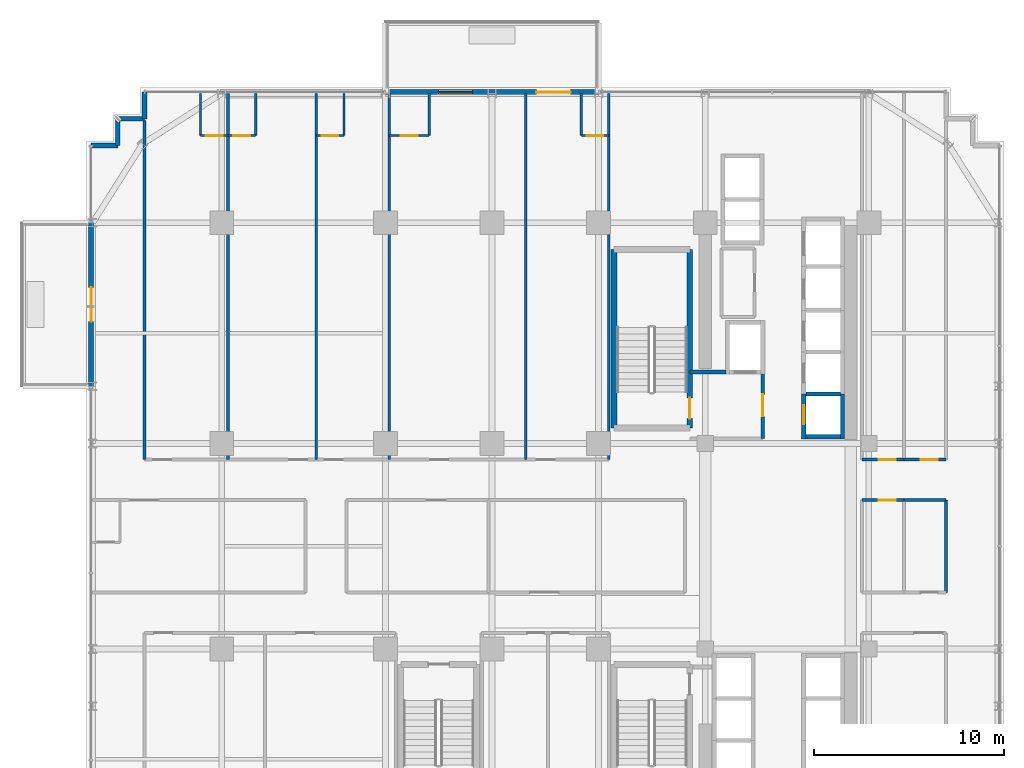
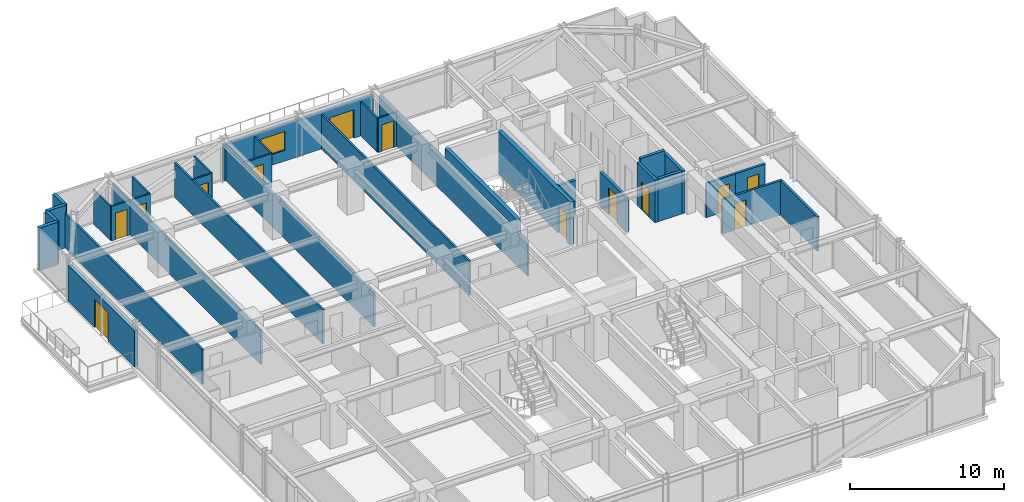
# One storey, part 34 of 40: 35 walls, 13 doors, 1 window, 14 openings.
"""IFC4 building model written with IfcOpenShell, lengths in metres."""

from ifc_helpers import new_model, si_unit, direction, frame, frame_2d, origin, place, context, subcontext, project, spatial, rectangle, extrude, source, transform, mapped, material, layer, layer_set, type_object, element, fill, save


model = new_model("IFC4")

# Units and contexts
model_context = context("Model", 3, precision=1e-05, world=origin(), true_north=direction((0.0, 1.0)))
body_context = subcontext(model_context, "Body", "Model", "MODEL_VIEW")
ifc_project = project(units=[si_unit("LENGTHUNIT", "METRE"), si_unit("AREAUNIT", "SQUARE_METRE"), si_unit("VOLUMEUNIT", "CUBIC_METRE"), si_unit("PLANEANGLEUNIT", "RADIAN"), si_unit("MASSUNIT", "GRAM", prefix="KILO")], contexts=[model_context])

# Site, building, storey
site_placement = place(None, origin())
site = spatial("IfcSite", under=ifc_project, at=site_placement, CompositionType="ELEMENT")
building_placement = place(site_placement, origin())
building = spatial("IfcBuilding", under=site, at=building_placement, Name="Nahalor Promenade Grand Hotel", CompositionType="ELEMENT")
storey_placement = place(building_placement, frame((0.0, 0.0, 91.949951171875)))
storey = spatial("IfcBuildingStorey", under=building, at=storey_placement, Name="L22", CompositionType="ELEMENT", Elevation=91.949951171875)

# Wall
ifc_material_1 = material(Name="Concrete B-50 (C40/50)", Category="concrete")
ifc_layer_1 = layer(ifc_material_1, 0.300048828125)
ifc_layer_set_1 = layer_set([ifc_layer_1], Name="Concrete B-50 (C40/50)")
wall_type_1 = type_object("IfcWallType", Name="Wall-ShaftShear-300", PredefinedType="SHEAR", material=ifc_layer_set_1)
shared_shape_1 = source(origin(), body_context, "Body", "SweptSolid", [
    extrude(rectangle(XDim=9.380126953125, YDim=0.300048828125, at=frame_2d((4.68994140625, 0.0))), origin(), (0.0, 0.0, 1.0), 3.380126953125),
])
wall_1_placement = place(storey_placement, frame((3.610107421875, 6.2099609375, 0.0), z_axis=(0.0, 0.0, 1.0), x_axis=(0.0, 1.0, 0.0)))
element("IfcWall", 1, at=wall_1_placement, inside=storey, type_object=wall_type_1, Name="L22 Exit Stair ST1 Shaft Wall W", PredefinedType="SHEAR", context=body_context, shape_type="MappedRepresentation", body=[
    mapped(shared_shape_1, transform((0.0, 0.0, 0.0), scale=1.0)),
])

# Wall, opening, door
wall_2_placement = place(storey_placement, frame((7.590087890625, 6.2099609375, 0.0), z_axis=(0.0, 0.0, 1.0), x_axis=(0.0, 1.0, 0.0)))
wall_2 = element("IfcWall", 2, at=wall_2_placement, inside=storey, type_object=wall_type_1, Name="L22 Exit Stair ST1 Shaft Wall E", PredefinedType="SHEAR", context=body_context, shape_type="MappedRepresentation", body=[
    mapped(shared_shape_1, transform((0.0, 0.0, 0.0), scale=1.0)),
])
opening_1_placement = place(wall_2_placement, frame((0.489990234375, 0.0, 0.0)))
opening_1 = element("IfcOpeningElement", 3, at=opening_1_placement, cuts=wall_2, Name="Opening D-ST1", PredefinedType="OPENING", context=body_context, shape_type="SweptSolid", body=[
    extrude(rectangle(XDim=1.10009765625, YDim=2.14990234375, at=frame_2d((0.550048828125, 1.074951171875))), frame((0.0, 0.159912109375, 0.0), z_axis=(0.0, -1.0, 0.0), x_axis=(1.0, 0.0, 0.0)), (0.0, 0.0, 1.0), 0.320068359375),
])
ifc_material_2 = material(Name="Steel S355JR", Category="steel")
door_type_1 = type_object("IfcDoorType", Name="Door-StairFire-1100", OperationType="NOTDEFINED", PredefinedType="DOOR", material=ifc_material_2)
shared_shape_2 = source(origin(), body_context, "Body", "SweptSolid", [
    extrude(rectangle(XDim=1.10009765625, YDim=2.14990234375, at=frame_2d((0.550048828125, 1.074951171875))), frame((0.0, 0.02490234375, 0.0), z_axis=(0.0, -1.0, 0.0), x_axis=(1.0, 0.0, 0.0)), (0.0, 0.0, 1.0), 0.050048828125),
])
door_1_placement = place(opening_1_placement, origin())
door_1 = element("IfcDoor", 4, at=door_1_placement, inside=storey, type_object=door_type_1, Name="DR-STAIR-ST1-L22", OperationType="SINGLE_SWING_LEFT", OverallHeight=2.14990234375, OverallWidth=1.10009765625, PredefinedType="DOOR", context=body_context, shape_type="MappedRepresentation", body=[
    mapped(shared_shape_2, transform((0.0, 0.0, 0.0), scale=1.0)),
])
fill(opening_1, door_1)

# Wall
ifc_layer_2 = layer(ifc_material_1, 0.219970703125)
ifc_layer_set_2 = layer_set([ifc_layer_2], Name="Concrete B-50 (C40/50)")
wall_type_2 = type_object("IfcWallType", Name="Wall-LiftShaft-220", PredefinedType="SHEAR", material=ifc_layer_set_2)
shared_shape_3 = source(origin(), body_context, "Body", "SweptSolid", [
    extrude(rectangle(XDim=1.820068359375, YDim=0.219970703125, at=frame_2d((0.91015625, 0.0))), origin(), (0.0, 0.0, 1.0), 3.650146484375),
])
wall_3_placement = place(storey_placement, frame((13.68994140625, 8.0, 0.0), z_axis=(0.0, 0.0, 1.0), x_axis=(1.0, 0.0, 0.0)))
element("IfcWall", 5, at=wall_3_placement, inside=storey, type_object=wall_type_2, Name="L22 Lift PL1 Hoistway Wall N", PredefinedType="SHEAR", context=body_context, shape_type="MappedRepresentation", body=[
    mapped(shared_shape_3, transform((0.0, 0.0, 0.0), scale=1.0)),
])

# Wall, opening, door
shared_shape_4 = source(origin(), body_context, "Body", "SweptSolid", [
    extrude(rectangle(XDim=2.360107421875, YDim=0.219970703125, at=frame_2d((1.18017578125, 0.0))), origin(), (0.0, 0.0, 1.0), 3.380126953125),
])
wall_4_placement = place(storey_placement, frame((13.580078125, 5.639892578125, 0.0), z_axis=(0.0, 0.0, 1.0), x_axis=(0.0, 1.0, 0.0)))
wall_4 = element("IfcWall", 6, at=wall_4_placement, inside=storey, type_object=wall_type_2, Name="L22 Lift PL1 Hoistway Wall W", PredefinedType="SHEAR", context=body_context, shape_type="MappedRepresentation", body=[
    mapped(shared_shape_4, transform((0.0, 0.0, 0.0), scale=1.0)),
])
opening_2_placement = place(wall_4_placement, frame((0.760009765625, 0.0, 0.0)))
opening_2 = element("IfcOpeningElement", 7, at=opening_2_placement, cuts=wall_4, Name="Opening LD-01", PredefinedType="OPENING", context=body_context, shape_type="SweptSolid", body=[
    extrude(rectangle(XDim=1.0, YDim=2.199951171875, at=frame_2d((0.5, 1.10009765625))), frame((0.0, 0.119873046875, 0.0), z_axis=(0.0, -1.0, 0.0), x_axis=(1.0, 0.0, 0.0)), (0.0, 0.0, 1.0), 0.239990234375),
])
door_type_2 = type_object("IfcDoorType", Name="Door-LiftLanding-1000", OperationType="DOUBLE_DOOR_SLIDING", PredefinedType="DOOR", material=ifc_material_2)
shared_shape_5 = source(origin(), body_context, "Body", "SweptSolid", [
    extrude(rectangle(XDim=1.0, YDim=2.199951171875, at=frame_2d((0.5, 1.10009765625))), frame((0.0, 0.02490234375, 0.0), z_axis=(0.0, -1.0, 0.0), x_axis=(1.0, 0.0, 0.0)), (0.0, 0.0, 1.0), 0.050048828125),
])
door_2_placement = place(opening_2_placement, origin())
door_2 = element("IfcDoor", 8, at=door_2_placement, inside=storey, type_object=door_type_2, Name="DR-LIFT-PL1-L22", OperationType="DOUBLE_DOOR_SLIDING", OverallHeight=2.199951171875, OverallWidth=1.0, PredefinedType="DOOR", context=body_context, shape_type="MappedRepresentation", body=[
    mapped(shared_shape_5, transform((0.0, 0.0, 0.0), scale=1.0)),
])
fill(opening_2, door_2)

# Walls
wall_5_placement = place(storey_placement, frame((15.6201171875, 5.639892578125, 0.0), z_axis=(0.0, 0.0, 1.0), x_axis=(0.0, 1.0, 0.0)))
element("IfcWall", 9, at=wall_5_placement, inside=storey, type_object=wall_type_2, Name="L22 Lift PL1 Hoistway Wall E", PredefinedType="SHEAR", context=body_context, shape_type="MappedRepresentation", body=[
    mapped(shared_shape_4, transform((0.0, 0.0, 0.0), scale=1.0)),
])
shared_shape_6 = source(origin(), body_context, "Body", "SweptSolid", [
    extrude(rectangle(XDim=1.820068359375, YDim=0.219970703125, at=frame_2d((0.91015625, 0.0))), origin(), (0.0, 0.0, 1.0), 3.380126953125),
])
wall_6_placement = place(storey_placement, frame((13.68994140625, 5.75, 0.0), z_axis=(0.0, 0.0, 1.0), x_axis=(1.0, 0.0, 0.0)))
element("IfcWall", 10, at=wall_6_placement, inside=storey, type_object=wall_type_2, Name="L22 Lift PL1 Hoistway Wall S", PredefinedType="SHEAR", context=body_context, shape_type="MappedRepresentation", body=[
    mapped(shared_shape_6, transform((0.0, 0.0, 0.0), scale=1.0)),
])
ifc_material_3 = material(Name="Concrete B-40 (C32/40)", Category="concrete")
ifc_layer_3 = layer(ifc_material_3, 0.25)
ifc_layer_set_3 = layer_set([ifc_layer_3], Name="Concrete B-40 (C32/40)")
wall_type_3 = type_object("IfcWallType", Name="Wall-BronzePier-250", PredefinedType="STANDARD", material=ifc_layer_set_3)
shared_shape_7 = source(origin(), body_context, "Body", "SweptSolid", [
    extrude(rectangle(XDim=1.400146484375, YDim=0.25, at=frame_2d((0.7001953125, 0.0))), origin(), (0.0, 0.0, 1.0), 3.380126953125),
])
for number, where, z_axis, x_axis, name in (
    (11, (-21.06005859375, 22.4599609375, 0.0), (0.0, 0.0, 1.0), (0.0, 1.0, 0.0), "W-L22-SR-09"),
    (12, (-23.860107421875, 21.06005859375, 0.0), (0.0, 0.0, 1.0), (1.0, 0.0, 0.0), "W-L22-SR-12"),
):
    element("IfcWall", number, at=place(storey_placement, frame(where, z_axis=z_axis, x_axis=x_axis)), inside=storey, type_object=wall_type_3, Name=name, PredefinedType="STANDARD", context=body_context, shape_type="MappedRepresentation", body=[
        mapped(shared_shape_7, transform((0.0, 0.0, 0.0), scale=1.0)),
    ])
shared_shape_8 = source(origin(), body_context, "Body", "SweptSolid", [
    extrude(rectangle(XDim=1.39990234375, YDim=0.25, at=frame_2d((0.699951171875, 0.0))), origin(), (0.0, 0.0, 1.0), 3.380126953125),
])
for number, where, z_axis, x_axis, name in (
    (13, (-22.4599609375, 22.4599609375, 0.0), (0.0, 0.0, 1.0), (1.0, 0.0, 0.0), "W-L22-SR-10"),
    (14, (-22.4599609375, 21.06005859375, 0.0), (0.0, 0.0, 1.0), (0.0, 1.0, 0.0), "W-L22-SR-11"),
):
    element("IfcWall", number, at=place(storey_placement, frame(where, z_axis=z_axis, x_axis=x_axis)), inside=storey, type_object=wall_type_3, Name=name, PredefinedType="STANDARD", context=body_context, shape_type="MappedRepresentation", body=[
        mapped(shared_shape_8, transform((0.0, 0.0, 0.0), scale=1.0)),
    ])

# Wall, openings, door, window
ifc_layer_4 = layer(ifc_material_3, 0.260009765625)
ifc_layer_set_4 = layer_set([ifc_layer_4], Name="Concrete B-40 (C32/40)")
wall_type_4 = type_object("IfcWallType", Name="Wall-BalconyWall-260", PredefinedType="STANDARD", material=ifc_layer_set_4)
shared_shape_9 = source(origin(), body_context, "Body", "SweptSolid", [
    extrude(rectangle(XDim=11.199951171875, YDim=0.260009765625, at=frame_2d((5.60009765625, 0.0))), origin(), (0.0, 0.0, 1.0), 2.860107421875),
])
wall_7_placement = place(storey_placement, frame((-8.39990234375, 23.860107421875, 0.0), z_axis=(0.0, 0.0, 1.0), x_axis=(1.0, 0.0, 0.0)))
wall_7 = element("IfcWall", 15, at=wall_7_placement, inside=storey, type_object=wall_type_4, Name="W-L22-BALC-N-2", PredefinedType="STANDARD", context=body_context, shape_type="MappedRepresentation", body=[
    mapped(shared_shape_9, transform((0.0, 0.0, 0.0), scale=1.0)),
])
opening_3_placement = place(wall_7_placement, frame((7.927978515625, 0.0, 0.0)))
opening_3 = element("IfcOpeningElement", 16, at=opening_3_placement, cuts=wall_7, Name="Opening D-BC1", PredefinedType="OPENING", context=body_context, shape_type="SweptSolid", body=[
    extrude(rectangle(XDim=1.800048828125, YDim=2.25, at=frame_2d((0.89990234375, 1.125))), frame((0.0, 0.139892578125, 0.0), z_axis=(0.0, -1.0, 0.0), x_axis=(1.0, 0.0, 0.0)), (0.0, 0.0, 1.0), 0.280029296875),
])
opening_4_placement = place(wall_7_placement, frame((2.77587890625, 0.0, 0.85009765625)))
opening_4 = element("IfcOpeningElement", 17, at=opening_4_placement, cuts=wall_7, Name="Opening WN-01", PredefinedType="OPENING", context=body_context, shape_type="SweptSolid", body=[
    extrude(rectangle(XDim=1.800048828125, YDim=1.5, at=frame_2d((0.89990234375, 0.75))), frame((0.0, 0.139892578125, 0.0), z_axis=(0.0, -1.0, 0.0), x_axis=(1.0, 0.0, 0.0)), (0.0, 0.0, 1.0), 0.280029296875),
])
ifc_material_4 = material(Name="Anodised Bronze Aluminium EN AW-6063 T6", Category="aluminium")
door_type_3 = type_object("IfcDoorType", Name="Door-BalconySlide-1800", OperationType="DOUBLE_DOOR_SLIDING", PredefinedType="DOOR", material=ifc_material_4)
shared_shape_10 = source(origin(), body_context, "Body", "SweptSolid", [
    extrude(rectangle(XDim=1.800048828125, YDim=2.25, at=frame_2d((0.89990234375, 1.125))), frame((0.0, 0.02490234375, 0.0), z_axis=(0.0, -1.0, 0.0), x_axis=(1.0, 0.0, 0.0)), (0.0, 0.0, 1.0), 0.050048828125),
])
door_3_placement = place(opening_3_placement, origin())
door_3 = element("IfcDoor", 18, at=door_3_placement, inside=storey, type_object=door_type_3, Name="DR-L22-BALC-N-2", OperationType="DOUBLE_DOOR_SLIDING", OverallHeight=2.25, OverallWidth=1.800048828125, PredefinedType="DOOR", context=body_context, shape_type="MappedRepresentation", body=[
    mapped(shared_shape_10, transform((0.0, 0.0, 0.0), scale=1.0)),
])
fill(opening_3, door_3)
ifc_material_5 = material(Name="Low-E Laminated Solar Glass", Category="glass")
window_type = type_object("IfcWindowType", Name="Win-ChicagoBay-1800x1500", PartitioningType="SINGLE_PANEL", PredefinedType="WINDOW", material=ifc_material_5)
shared_shape_11 = source(origin(), body_context, "Body", "SweptSolid", [
    extrude(rectangle(XDim=1.800048828125, YDim=1.5, at=frame_2d((0.89990234375, 0.75))), frame((0.0, 0.030029296875, 0.0), z_axis=(0.0, -1.0, 0.0), x_axis=(1.0, 0.0, 0.0)), (0.0, 0.0, 1.0), 0.06005859375),
])
window_placement = place(opening_4_placement, origin())
window = element("IfcWindow", 19, at=window_placement, inside=storey, type_object=window_type, Name="WN-L22-BALC-N-2-1", OverallHeight=1.5, OverallWidth=1.800048828125, PartitioningType="SINGLE_PANEL", PredefinedType="WINDOW", context=body_context, shape_type="MappedRepresentation", body=[
    mapped(shared_shape_11, transform((0.0, 0.0, 0.0), scale=1.0)),
])
fill(opening_4, window)

# Wall, opening, door
shared_shape_12 = source(origin(), body_context, "Body", "SweptSolid", [
    extrude(rectangle(XDim=8.60009765625, YDim=0.260009765625, at=frame_2d((4.300048828125, 0.0))), origin(), (0.0, 0.0, 1.0), 2.860107421875),
])
wall_8_placement = place(storey_placement, frame((-23.860107421875, 8.39990234375, 0.0), z_axis=(0.0, 0.0, 1.0), x_axis=(0.0, 1.0, 0.0)))
wall_8 = element("IfcWall", 20, at=wall_8_placement, inside=storey, type_object=wall_type_4, Name="W-L22-BALC-W-2", PredefinedType="STANDARD", context=body_context, shape_type="MappedRepresentation", body=[
    mapped(shared_shape_12, transform((0.0, 0.0, 0.0), scale=1.0)),
])
opening_5_placement = place(wall_8_placement, frame((3.39990234375, 0.0, 0.0)))
opening_5 = element("IfcOpeningElement", 21, at=opening_5_placement, cuts=wall_8, Name="Opening D-BC1", PredefinedType="OPENING", context=body_context, shape_type="SweptSolid", body=[
    extrude(rectangle(XDim=1.800048828125, YDim=2.25, at=frame_2d((0.89990234375, 1.125))), frame((0.0, 0.139892578125, 0.0), z_axis=(0.0, -1.0, 0.0), x_axis=(1.0, 0.0, 0.0)), (0.0, 0.0, 1.0), 0.280029296875),
])
door_4_placement = place(opening_5_placement, origin())
door_4 = element("IfcDoor", 22, at=door_4_placement, inside=storey, type_object=door_type_3, Name="DR-L22-BALC-W-2", OperationType="DOUBLE_DOOR_SLIDING", OverallHeight=2.25, OverallWidth=1.800048828125, PredefinedType="DOOR", context=body_context, shape_type="MappedRepresentation", body=[
    mapped(shared_shape_10, transform((0.0, 0.0, 0.0), scale=1.0)),
])
fill(opening_5, door_4)

# Wall
ifc_layer_5 = layer(ifc_material_3, 0.199951171875)
ifc_layer_set_5 = layer_set([ifc_layer_5], Name="Concrete B-40 (C32/40)")
wall_type_5 = type_object("IfcWallType", Name="Wall-PartFire-200", PredefinedType="PARTITIONING", material=ifc_layer_set_5)
shared_shape_13 = source(origin(), body_context, "Body", "SweptSolid", [
    extrude(rectangle(XDim=1.89990234375, YDim=0.199951171875, at=frame_2d((0.949951171875, 0.0))), origin(), (0.0, 0.0, 1.0), 2.719970703125),
])
wall_9_placement = place(storey_placement, frame((7.60009765625, 9.14990234375, 0.0), z_axis=(0.0, 0.0, 1.0), x_axis=(1.0, 0.0, 0.0)))
element("IfcWall", 23, at=wall_9_placement, inside=storey, type_object=wall_type_5, Name="W-L22-FF1-N", PredefinedType="PARTITIONING", context=body_context, shape_type="MappedRepresentation", body=[
    mapped(shared_shape_13, transform((0.0, 0.0, 0.0), scale=1.0)),
])

# Wall, opening, door
shared_shape_14 = source(origin(), body_context, "Body", "SweptSolid", [
    extrude(rectangle(XDim=3.5, YDim=0.199951171875, at=frame_2d((1.75, 0.0))), origin(), (0.0, 0.0, 1.0), 2.719970703125),
])
wall_10_placement = place(storey_placement, frame((11.419921875, 5.64990234375, 0.0), z_axis=(0.0, 0.0, 1.0), x_axis=(0.0, 1.0, 0.0)))
wall_10 = element("IfcWall", 24, at=wall_10_placement, inside=storey, type_object=wall_type_5, Name="W-L22-FF1-E", PredefinedType="PARTITIONING", context=body_context, shape_type="MappedRepresentation", body=[
    mapped(shared_shape_14, transform((0.0, 0.0, 0.0), scale=1.0)),
])
opening_6_placement = place(wall_10_placement, frame((1.175048828125, 0.0, 0.0)))
opening_6 = element("IfcOpeningElement", 25, at=opening_6_placement, cuts=wall_10, Name="Opening D-FF1", PredefinedType="OPENING", context=body_context, shape_type="SweptSolid", body=[
    extrude(rectangle(XDim=1.14990234375, YDim=2.14990234375, at=frame_2d((0.574951171875, 1.074951171875))), frame((0.0, 0.10986328125, 0.0), z_axis=(0.0, -1.0, 0.0), x_axis=(1.0, 0.0, 0.0)), (0.0, 0.0, 1.0), 0.219970703125),
])
door_type_4 = type_object("IfcDoorType", Name="Door-FFLobby-1150", OperationType="NOTDEFINED", PredefinedType="DOOR", material=ifc_material_2)
shared_shape_15 = source(origin(), body_context, "Body", "SweptSolid", [
    extrude(rectangle(XDim=1.14990234375, YDim=2.14990234375, at=frame_2d((0.574951171875, 1.074951171875))), frame((0.0, 0.02490234375, 0.0), z_axis=(0.0, -1.0, 0.0), x_axis=(1.0, 0.0, 0.0)), (0.0, 0.0, 1.0), 0.050048828125),
])
door_5_placement = place(opening_6_placement, frame((1.14990234375, 0.0, 0.0), z_axis=(0.0, 0.0, 1.0), x_axis=(-1.0, 0.0, 0.0)))
door_5 = element("IfcDoor", 26, at=door_5_placement, inside=storey, type_object=door_type_4, Name="DR-L22-FFL1", OperationType="SINGLE_SWING_RIGHT", OverallHeight=2.14990234375, OverallWidth=1.14990234375, PredefinedType="DOOR", context=body_context, shape_type="MappedRepresentation", body=[
    mapped(shared_shape_15, transform((0.0, 0.0, 0.0), scale=1.0)),
])
fill(opening_6, door_5)

# Walls
ifc_material_6 = material(Name="Acoustic Mineral Gypsum", Category="gypsum")
ifc_layer_6 = layer(ifc_material_6, 0.139892578125)
ifc_layer_set_6 = layer_set([ifc_layer_6], Name="Acoustic Mineral Gypsum")
wall_type_6 = type_object("IfcWallType", Name="Wall-PartSuite-140", PredefinedType="PARTITIONING", material=ifc_layer_set_6)
shared_shape_16 = source(origin(), body_context, "Body", "SweptSolid", [
    extrude(rectangle(XDim=17.829833984375, YDim=0.139892578125, at=frame_2d((8.9150390625, 0.0))), origin(), (0.0, 0.0, 1.0), 2.719970703125),
])
wall_11_placement = place(storey_placement, frame((-21.06005859375, 4.550048828125, 0.0), z_axis=(0.0, 0.0, 1.0), x_axis=(0.0, 1.0, 0.0)))
element("IfcWall", 27, at=wall_11_placement, inside=storey, type_object=wall_type_6, Name="W-L22-NW-ENDW", PredefinedType="PARTITIONING", context=body_context, shape_type="MappedRepresentation", body=[
    mapped(shared_shape_16, transform((0.0, 0.0, 0.0), scale=1.0)),
])
shared_shape_17 = source(origin(), body_context, "Body", "SweptSolid", [
    extrude(rectangle(XDim=19.25, YDim=0.139892578125, at=frame_2d((9.625, 0.0))), origin(), (0.0, 0.0, 1.0), 2.719970703125),
])
for number, where, z_axis, x_axis, name in (
    (28, (3.340087890625, 4.550048828125, 0.0), (0.0, 0.0, 1.0), (0.0, 1.0, 0.0), "W-L22-NW-ENDE"),
    (29, (-16.66796875, 4.550048828125, 0.0), (0.0, 0.0, 1.0), (0.0, 1.0, 0.0), "W-L22-NP-1"),
    (30, (-12.031982421875, 4.550048828125, 0.0), (0.0, 0.0, 1.0), (0.0, 1.0, 0.0), "W-L22-NP-2"),
    (31, (-8.2080078125, 4.550048828125, 0.0), (0.0, 0.0, 1.0), (0.0, 1.0, 0.0), "W-L22-NP-3"),
    (32, (-1.033935546875, 4.550048828125, 0.0), (0.0, 0.0, 1.0), (0.0, 1.0, 0.0), "W-L22-NP-4"),
):
    element("IfcWall", number, at=place(storey_placement, frame(where, z_axis=z_axis, x_axis=x_axis)), inside=storey, type_object=wall_type_6, Name=name, PredefinedType="PARTITIONING", context=body_context, shape_type="MappedRepresentation", body=[
        mapped(shared_shape_17, transform((0.0, 0.0, 0.0), scale=1.0)),
    ])

# Wall, opening, door
ifc_layer_7 = layer(ifc_material_6, 0.1201171875)
ifc_layer_set_7 = layer_set([ifc_layer_7], Name="Acoustic Mineral Gypsum")
wall_type_7 = type_object("IfcWallType", Name="Wall-PartBath-120", PredefinedType="PARTITIONING", material=ifc_layer_set_7)
shared_shape_18 = source(origin(), body_context, "Body", "SweptSolid", [
    extrude(rectangle(XDim=1.4501953125, YDim=0.1201171875, at=frame_2d((0.72509765625, 0.0))), origin(), (0.0, 0.0, 1.0), 2.719970703125),
])
wall_12_placement = place(storey_placement, frame((1.889892578125, 21.580078125, 0.0), z_axis=(0.0, 0.0, 1.0), x_axis=(1.0, 0.0, 0.0)))
wall_12 = element("IfcWall", 33, at=wall_12_placement, inside=storey, type_object=wall_type_7, Name="W-L22-N5-BH", PredefinedType="PARTITIONING", context=body_context, shape_type="MappedRepresentation", body=[
    mapped(shared_shape_18, transform((0.0, 0.0, 0.0), scale=1.0)),
])
opening_7_placement = place(wall_12_placement, frame((0.284912109375, 0.0, 0.0)))
opening_7 = element("IfcOpeningElement", 34, at=opening_7_placement, cuts=wall_12, Name="Opening D-03", PredefinedType="OPENING", context=body_context, shape_type="SweptSolid", body=[
    extrude(rectangle(XDim=0.8798828125, YDim=2.10009765625, at=frame_2d((0.43994140625, 1.050048828125))), frame((0.0, 0.070068359375, 0.0), z_axis=(0.0, -1.0, 0.0), x_axis=(1.0, 0.0, 0.0)), (0.0, 0.0, 1.0), 0.14013671875),
])
ifc_material_7 = material(Name="Fire-Rated Timber Composite", Category="wood")
door_type_5 = type_object("IfcDoorType", Name="Door-BathSwing-880", OperationType="NOTDEFINED", PredefinedType="DOOR", material=ifc_material_7)
shared_shape_19 = source(origin(), body_context, "Body", "SweptSolid", [
    extrude(rectangle(XDim=0.8798828125, YDim=2.10009765625, at=frame_2d((0.43994140625, 1.050048828125))), frame((0.0, 0.02490234375, 0.0), z_axis=(0.0, -1.0, 0.0), x_axis=(1.0, 0.0, 0.0)), (0.0, 0.0, 1.0), 0.050048828125),
])
door_6_placement = place(opening_7_placement, origin())
door_6 = element("IfcDoor", 35, at=door_6_placement, inside=storey, type_object=door_type_5, Name="DR-L22-N5-BATH", OperationType="SINGLE_SWING_LEFT", OverallHeight=2.10009765625, OverallWidth=0.8798828125, PredefinedType="DOOR", context=body_context, shape_type="MappedRepresentation", body=[
    mapped(shared_shape_19, transform((0.0, 0.0, 0.0), scale=1.0)),
])
fill(opening_7, door_6)

# Walls
shared_shape_20 = source(origin(), body_context, "Body", "SweptSolid", [
    extrude(rectangle(XDim=2.219970703125, YDim=0.1201171875, at=frame_2d((1.10986328125, 0.0))), origin(), (0.0, 0.0, 1.0), 2.719970703125),
])
for number, where, z_axis, x_axis, name in (
    (36, (-18.117919921875, 21.580078125, 0.0), (0.0, 0.0, 1.0), (0.0, 1.0, 0.0), "W-L22-N1-BV"),
    (37, (-15.218017578125, 21.580078125, 0.0), (0.0, 0.0, 1.0), (0.0, 1.0, 0.0), "W-L22-N2-BV"),
    (38, (-10.58203125, 21.580078125, 0.0), (0.0, 0.0, 1.0), (0.0, 1.0, 0.0), "W-L22-N3-BV"),
    (39, (-6.097900390625, 21.580078125, 0.0), (0.0, 0.0, 1.0), (0.0, 1.0, 0.0), "W-L22-N4-BV"),
    (40, (1.889892578125, 21.580078125, 0.0), (0.0, 0.0, 1.0), (0.0, 1.0, 0.0), "W-L22-N5-BV"),
):
    element("IfcWall", number, at=place(storey_placement, frame(where, z_axis=z_axis, x_axis=x_axis)), inside=storey, type_object=wall_type_7, Name=name, PredefinedType="PARTITIONING", context=body_context, shape_type="MappedRepresentation", body=[
        mapped(shared_shape_20, transform((0.0, 0.0, 0.0), scale=1.0)),
    ])

# Wall, opening, door
shared_shape_21 = source(origin(), body_context, "Body", "SweptSolid", [
    extrude(rectangle(XDim=1.449951171875, YDim=0.1201171875, at=frame_2d((0.72509765625, 0.0))), origin(), (0.0, 0.0, 1.0), 2.719970703125),
])
wall_13_placement = place(storey_placement, frame((-18.117919921875, 21.580078125, 0.0), z_axis=(0.0, 0.0, 1.0), x_axis=(1.0, 0.0, 0.0)))
wall_13 = element("IfcWall", 41, at=wall_13_placement, inside=storey, type_object=wall_type_7, Name="W-L22-N1-BH", PredefinedType="PARTITIONING", context=body_context, shape_type="MappedRepresentation", body=[
    mapped(shared_shape_21, transform((0.0, 0.0, 0.0), scale=1.0)),
])
opening_8_placement = place(wall_13_placement, frame((0.284912109375, 0.0, 0.0)))
opening_8 = element("IfcOpeningElement", 42, at=opening_8_placement, cuts=wall_13, Name="Opening D-03", PredefinedType="OPENING", context=body_context, shape_type="SweptSolid", body=[
    extrude(rectangle(XDim=0.8798828125, YDim=2.10009765625, at=frame_2d((0.43994140625, 1.050048828125))), frame((0.0, 0.070068359375, 0.0), z_axis=(0.0, -1.0, 0.0), x_axis=(1.0, 0.0, 0.0)), (0.0, 0.0, 1.0), 0.14013671875),
])
door_7_placement = place(opening_8_placement, origin())
door_7 = element("IfcDoor", 43, at=door_7_placement, inside=storey, type_object=door_type_5, Name="DR-L22-N1-BATH", OperationType="SINGLE_SWING_LEFT", OverallHeight=2.10009765625, OverallWidth=0.8798828125, PredefinedType="DOOR", context=body_context, shape_type="MappedRepresentation", body=[
    mapped(shared_shape_19, transform((0.0, 0.0, 0.0), scale=1.0)),
])
fill(opening_8, door_7)

wall_14_placement = place(storey_placement, frame((-16.66796875, 21.580078125, 0.0), z_axis=(0.0, 0.0, 1.0), x_axis=(1.0, 0.0, 0.0)))
wall_14 = element("IfcWall", 44, at=wall_14_placement, inside=storey, type_object=wall_type_7, Name="W-L22-N2-BH", PredefinedType="PARTITIONING", context=body_context, shape_type="MappedRepresentation", body=[
    mapped(shared_shape_21, transform((0.0, 0.0, 0.0), scale=1.0)),
])
opening_9_placement = place(wall_14_placement, frame((0.284912109375, 0.0, 0.0)))
opening_9 = element("IfcOpeningElement", 45, at=opening_9_placement, cuts=wall_14, Name="Opening D-03", PredefinedType="OPENING", context=body_context, shape_type="SweptSolid", body=[
    extrude(rectangle(XDim=0.8798828125, YDim=2.10009765625, at=frame_2d((0.43994140625, 1.050048828125))), frame((0.0, 0.070068359375, 0.0), z_axis=(0.0, -1.0, 0.0), x_axis=(1.0, 0.0, 0.0)), (0.0, 0.0, 1.0), 0.14013671875),
])
door_8_placement = place(opening_9_placement, origin())
door_8 = element("IfcDoor", 46, at=door_8_placement, inside=storey, type_object=door_type_5, Name="DR-L22-N2-BATH", OperationType="SINGLE_SWING_LEFT", OverallHeight=2.10009765625, OverallWidth=0.8798828125, PredefinedType="DOOR", context=body_context, shape_type="MappedRepresentation", body=[
    mapped(shared_shape_19, transform((0.0, 0.0, 0.0), scale=1.0)),
])
fill(opening_9, door_8)

wall_15_placement = place(storey_placement, frame((-12.031982421875, 21.580078125, 0.0), z_axis=(0.0, 0.0, 1.0), x_axis=(1.0, 0.0, 0.0)))
wall_15 = element("IfcWall", 47, at=wall_15_placement, inside=storey, type_object=wall_type_7, Name="W-L22-N3-BH", PredefinedType="PARTITIONING", context=body_context, shape_type="MappedRepresentation", body=[
    mapped(shared_shape_21, transform((0.0, 0.0, 0.0), scale=1.0)),
])
opening_10_placement = place(wall_15_placement, frame((0.284912109375, 0.0, 0.0)))
opening_10 = element("IfcOpeningElement", 48, at=opening_10_placement, cuts=wall_15, Name="Opening D-03", PredefinedType="OPENING", context=body_context, shape_type="SweptSolid", body=[
    extrude(rectangle(XDim=0.8798828125, YDim=2.10009765625, at=frame_2d((0.43994140625, 1.050048828125))), frame((0.0, 0.070068359375, 0.0), z_axis=(0.0, -1.0, 0.0), x_axis=(1.0, 0.0, 0.0)), (0.0, 0.0, 1.0), 0.14013671875),
])
door_9_placement = place(opening_10_placement, origin())
door_9 = element("IfcDoor", 49, at=door_9_placement, inside=storey, type_object=door_type_5, Name="DR-L22-N3-BATH", OperationType="SINGLE_SWING_LEFT", OverallHeight=2.10009765625, OverallWidth=0.8798828125, PredefinedType="DOOR", context=body_context, shape_type="MappedRepresentation", body=[
    mapped(shared_shape_19, transform((0.0, 0.0, 0.0), scale=1.0)),
])
fill(opening_10, door_9)

shared_shape_22 = source(origin(), body_context, "Body", "SweptSolid", [
    extrude(rectangle(XDim=2.110107421875, YDim=0.1201171875, at=frame_2d((1.05517578125, 0.0))), origin(), (0.0, 0.0, 1.0), 2.719970703125),
])
wall_16_placement = place(storey_placement, frame((-8.2080078125, 21.580078125, 0.0), z_axis=(0.0, 0.0, 1.0), x_axis=(1.0, 0.0, 0.0)))
wall_16 = element("IfcWall", 50, at=wall_16_placement, inside=storey, type_object=wall_type_7, Name="W-L22-N4-BH", PredefinedType="PARTITIONING", context=body_context, shape_type="MappedRepresentation", body=[
    mapped(shared_shape_22, transform((0.0, 0.0, 0.0), scale=1.0)),
])
opening_11_placement = place(wall_16_placement, frame((0.614990234375, 0.0, 0.0)))
opening_11 = element("IfcOpeningElement", 51, at=opening_11_placement, cuts=wall_16, Name="Opening D-03", PredefinedType="OPENING", context=body_context, shape_type="SweptSolid", body=[
    extrude(rectangle(XDim=0.8798828125, YDim=2.10009765625, at=frame_2d((0.43994140625, 1.050048828125))), frame((0.0, 0.070068359375, 0.0), z_axis=(0.0, -1.0, 0.0), x_axis=(1.0, 0.0, 0.0)), (0.0, 0.0, 1.0), 0.14013671875),
])
door_10_placement = place(opening_11_placement, origin())
door_10 = element("IfcDoor", 52, at=door_10_placement, inside=storey, type_object=door_type_5, Name="DR-L22-N4-BATH", OperationType="SINGLE_SWING_LEFT", OverallHeight=2.10009765625, OverallWidth=0.8798828125, PredefinedType="DOOR", context=body_context, shape_type="MappedRepresentation", body=[
    mapped(shared_shape_19, transform((0.0, 0.0, 0.0), scale=1.0)),
])
fill(opening_11, door_10)

# Wall
ifc_layer_8 = layer(ifc_material_6, 0.159912109375)
ifc_layer_set_8 = layer_set([ifc_layer_8], Name="Acoustic Mineral Gypsum")
wall_type_8 = type_object("IfcWallType", Name="Wall-PartCorridor-160", PredefinedType="PARTITIONING", material=ifc_layer_set_8)
shared_shape_23 = source(origin(), body_context, "Body", "SweptSolid", [
    extrude(rectangle(XDim=4.83984375, YDim=0.159912109375, at=frame_2d((2.419921875, 0.0))), origin(), (0.0, 0.0, 1.0), 2.719970703125),
])
wall_17_placement = place(storey_placement, frame((21.06005859375, -2.419921875, 0.0), z_axis=(0.0, 0.0, 1.0), x_axis=(0.0, 1.0, 0.0)))
element("IfcWall", 53, at=wall_17_placement, inside=storey, type_object=wall_type_8, Name="W-L22-ECW2-E", PredefinedType="PARTITIONING", context=body_context, shape_type="MappedRepresentation", body=[
    mapped(shared_shape_23, transform((0.0, 0.0, 0.0), scale=1.0)),
])

# Wall, opening, door
shared_shape_24 = source(origin(), body_context, "Body", "SweptSolid", [
    extrude(rectangle(XDim=2.205078125, YDim=0.159912109375, at=frame_2d((1.1025390625, 0.0))), origin(), (0.0, 0.0, 1.0), 2.719970703125),
])
wall_18_placement = place(storey_placement, frame((16.64990234375, 4.550048828125, 0.0), z_axis=(0.0, 0.0, 1.0), x_axis=(1.0, 0.0, 0.0)))
wall_18 = element("IfcWall", 54, at=wall_18_placement, inside=storey, type_object=wall_type_8, Name="W-L22-ENE1-S", PredefinedType="PARTITIONING", context=body_context, shape_type="MappedRepresentation", body=[
    mapped(shared_shape_24, transform((0.0, 0.0, 0.0), scale=1.0)),
])
opening_12_placement = place(wall_18_placement, frame((0.875, 0.0, 0.0)))
opening_12 = element("IfcOpeningElement", 55, at=opening_12_placement, cuts=wall_18, Name="Opening D-03", PredefinedType="OPENING", context=body_context, shape_type="SweptSolid", body=[
    extrude(rectangle(XDim=0.8798828125, YDim=2.10009765625, at=frame_2d((0.43994140625, 1.050048828125))), frame((0.0, 0.08984375, 0.0), z_axis=(0.0, -1.0, 0.0), x_axis=(1.0, 0.0, 0.0)), (0.0, 0.0, 1.0), 0.179931640625),
])
door_11_placement = place(opening_12_placement, origin())
door_11 = element("IfcDoor", 56, at=door_11_placement, inside=storey, type_object=door_type_5, Name="DR-L22-ENE1", OperationType="SINGLE_SWING_LEFT", OverallHeight=2.10009765625, OverallWidth=0.8798828125, PredefinedType="DOOR", context=body_context, shape_type="MappedRepresentation", body=[
    mapped(shared_shape_19, transform((0.0, 0.0, 0.0), scale=1.0)),
])
fill(opening_12, door_11)

wall_19_placement = place(storey_placement, frame((18.85498046875, 4.550048828125, 0.0), z_axis=(0.0, 0.0, 1.0), x_axis=(1.0, 0.0, 0.0)))
wall_19 = element("IfcWall", 57, at=wall_19_placement, inside=storey, type_object=wall_type_8, Name="W-L22-ENE2-S", PredefinedType="PARTITIONING", context=body_context, shape_type="MappedRepresentation", body=[
    mapped(shared_shape_24, transform((0.0, 0.0, 0.0), scale=1.0)),
])
opening_13_placement = place(wall_19_placement, frame((0.875, 0.0, 0.0)))
opening_13 = element("IfcOpeningElement", 58, at=opening_13_placement, cuts=wall_19, Name="Opening D-03", PredefinedType="OPENING", context=body_context, shape_type="SweptSolid", body=[
    extrude(rectangle(XDim=0.8798828125, YDim=2.10009765625, at=frame_2d((0.43994140625, 1.050048828125))), frame((0.0, 0.08984375, 0.0), z_axis=(0.0, -1.0, 0.0), x_axis=(1.0, 0.0, 0.0)), (0.0, 0.0, 1.0), 0.179931640625),
])
door_12_placement = place(opening_13_placement, origin())
door_12 = element("IfcDoor", 59, at=door_12_placement, inside=storey, type_object=door_type_5, Name="DR-L22-ENE2", OperationType="SINGLE_SWING_RIGHT", OverallHeight=2.10009765625, OverallWidth=0.8798828125, PredefinedType="DOOR", context=body_context, shape_type="MappedRepresentation", body=[
    mapped(shared_shape_19, transform((0.0, 0.0, 0.0), scale=1.0)),
])
fill(opening_13, door_12)

wall_20_placement = place(storey_placement, frame((16.64990234375, 2.419921875, 0.0), z_axis=(0.0, 0.0, 1.0), x_axis=(1.0, 0.0, 0.0)))
wall_20 = element("IfcWall", 60, at=wall_20_placement, inside=storey, type_object=wall_type_8, Name="W-L22-ECW1-N", PredefinedType="PARTITIONING", context=body_context, shape_type="MappedRepresentation", body=[
    mapped(shared_shape_24, transform((0.0, 0.0, 0.0), scale=1.0)),
])
opening_14_placement = place(wall_20_placement, frame((0.875, 0.0, 0.0)))
opening_14 = element("IfcOpeningElement", 61, at=opening_14_placement, cuts=wall_20, Name="Opening D-03", PredefinedType="OPENING", context=body_context, shape_type="SweptSolid", body=[
    extrude(rectangle(XDim=0.8798828125, YDim=2.10009765625, at=frame_2d((0.43994140625, 1.050048828125))), frame((0.0, 0.08984375, 0.0), z_axis=(0.0, -1.0, 0.0), x_axis=(1.0, 0.0, 0.0)), (0.0, 0.0, 1.0), 0.179931640625),
])
door_13_placement = place(opening_14_placement, frame((0.8798828125, 0.0, 0.0), z_axis=(0.0, 0.0, 1.0), x_axis=(-1.0, 0.0, 0.0)))
door_13 = element("IfcDoor", 62, at=door_13_placement, inside=storey, type_object=door_type_5, Name="DR-L22-ECW1", OperationType="SINGLE_SWING_LEFT", OverallHeight=2.10009765625, OverallWidth=0.8798828125, PredefinedType="DOOR", context=body_context, shape_type="MappedRepresentation", body=[
    mapped(shared_shape_19, transform((0.0, 0.0, 0.0), scale=1.0)),
])
fill(opening_14, door_13)

# Wall
wall_21_placement = place(storey_placement, frame((18.85498046875, 2.419921875, 0.0), z_axis=(0.0, 0.0, 1.0), x_axis=(1.0, 0.0, 0.0)))
element("IfcWall", 63, at=wall_21_placement, inside=storey, type_object=wall_type_8, Name="W-L22-ECW2-N", PredefinedType="PARTITIONING", context=body_context, shape_type="MappedRepresentation", body=[
    mapped(shared_shape_24, transform((0.0, 0.0, 0.0), scale=1.0)),
])

save(model, "model.ifc")
